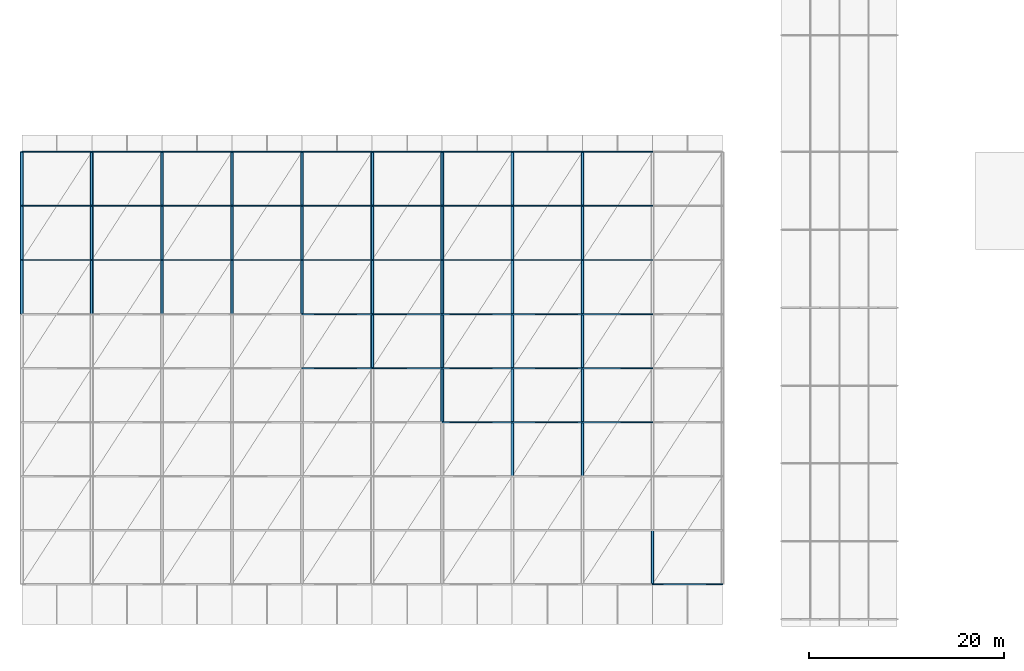
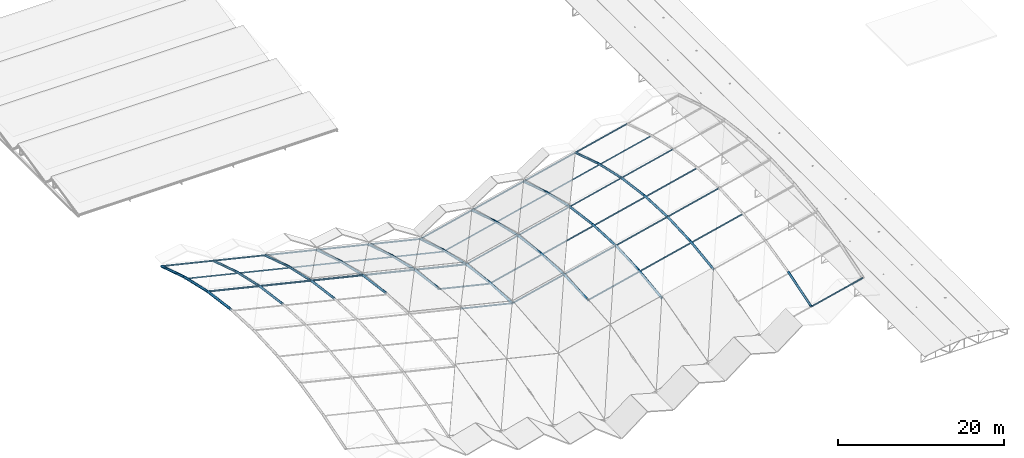
# One storey, part 2 of 54: 78 members.
"""IFC4 building model written with IfcOpenShell, lengths in metres."""

import ifcopenshell
import ifcopenshell.guid

model = None  # the IFC model being written
_history = None  # IfcOwnerHistory: only IFC2X3 demands one
_inside = {}  # id of a spatial element -> (the spatial element, [elements in it])
_under = {}  # id of a project, library or spatial element -> (it, [spatial elements below it])
_declared = {}  # id of a project -> (the project, [libraries it declares])
_typed = {}  # id of a type object -> (the type object, [elements of that type])
_made_of = {}  # id of a material, layer set ... -> (it, [elements and type objects made of it])


def new_model(schema):
    """Start an empty IFC model of exactly this schema.

    Asked for "IFC4X3", IfcOpenShell would pick the latest addendum, in which some entities
    have other attributes; the version numbers below select the first issue.
    IFC2X3 requires an IfcOwnerHistory on every rooted entity: one is made here for all.
    """
    global model, _history
    if schema == "IFC4X3":
        model = ifcopenshell.file(schema_version=(4, 3, 0, 0))
    else:
        model = ifcopenshell.file(schema=schema)
    _inside.clear()
    _under.clear()
    _declared.clear()
    _typed.clear()
    _made_of.clear()
    _history = None
    if model.schema == "IFC2X3":
        org = make("IfcOrganization", Name="unknown")
        user = make(
            "IfcPersonAndOrganization",
            ThePerson=make("IfcPerson", FamilyName="unknown"),
            TheOrganization=org,
        )
        app = make(
            "IfcApplication",
            ApplicationDeveloper=org,
            Version="unknown",
            ApplicationFullName="unknown",
            ApplicationIdentifier="unknown",
        )
        _history = make(
            "IfcOwnerHistory",
            OwningUser=user,
            OwningApplication=app,
            ChangeAction="ADDED",
            CreationDate=0,
        )
    return model


def make(cls, **values):
    """One entity of the class cls with the attributes given. An attribute that is None is left unset."""
    return model.create_entity(
        cls, **{name: value for name, value in values.items() if value is not None}
    )


def rooted(cls, **values):
    """An entity with a GlobalId (a new one), such as an element, a storey or a relation."""
    return make(cls, GlobalId=ifcopenshell.guid.new(), OwnerHistory=_history, **values)


def si_unit(unit_type, name, prefix=None):
    """IfcSIUnit, for example si_unit("LENGTHUNIT", "METRE", prefix="MILLI")."""
    return make("IfcSIUnit", UnitType=unit_type, Prefix=prefix, Name=name)


def derived_unit(unit_type, elements):
    """IfcDerivedUnit: a product of units, each with its exponent."""
    return make(
        "IfcDerivedUnit",
        Elements=[
            make("IfcDerivedUnitElement", Unit=unit, Exponent=power)
            for unit, power in elements
        ],
        UnitType=unit_type,
    )


def assignment(units):
    """IfcUnitAssignment: the units of a project."""
    return None if units is None else make("IfcUnitAssignment", Units=units)


def point(xyz):
    """IfcCartesianPoint."""
    return None if xyz is None else make("IfcCartesianPoint", Coordinates=xyz)


def direction(xyz):
    """IfcDirection."""
    return None if xyz is None else make("IfcDirection", DirectionRatios=xyz)


def frame(location, z_axis=None, x_axis=None):
    """IfcAxis2Placement3D, a coordinate frame: its origin and axes. An axis left out is left unset."""
    return make(
        "IfcAxis2Placement3D",
        Location=point(location),
        Axis=direction(z_axis),
        RefDirection=direction(x_axis),
    )


def frame_2d(location, x_axis=None):
    """IfcAxis2Placement2D, a coordinate frame in the plane: its origin and x axis."""
    return make(
        "IfcAxis2Placement2D", Location=point(location), RefDirection=direction(x_axis)
    )


def origin():
    """The frame at (0, 0, 0) with its axes left unset."""
    return frame((0.0, 0.0, 0.0))


def origin_2d():
    """The frame at (0, 0) in the plane with its x axis left unset."""
    return frame_2d((0.0, 0.0))


def place(relative_to, where):
    """IfcLocalPlacement: puts the frame where relative to a parent placement (None: the world)."""
    return make(
        "IfcLocalPlacement", PlacementRelTo=relative_to, RelativePlacement=where
    )


def context(
    kind, dimensions, precision=None, world=None, true_north=None, identifier=None
):
    """IfcGeometricRepresentationContext, for example the 3D "Model" context."""
    return make(
        "IfcGeometricRepresentationContext",
        ContextIdentifier=identifier,
        ContextType=kind,
        CoordinateSpaceDimension=dimensions,
        Precision=precision,
        WorldCoordinateSystem=world,
        TrueNorth=true_north,
    )


def subcontext(parent, identifier, kind, view, scale=None):
    """IfcGeometricRepresentationSubContext, for example "Body" below "Model"."""
    return make(
        "IfcGeometricRepresentationSubContext",
        ContextIdentifier=identifier,
        ContextType=kind,
        ParentContext=parent,
        TargetScale=scale,
        TargetView=view,
    )


def project(units=None, contexts=None):
    """IfcProject with its units and contexts."""
    return rooted(
        "IfcProject",
        Name="project",
        RepresentationContexts=contexts,
        UnitsInContext=assignment(units),
    )


def spatial(cls, under=None, at=None, **own):
    """A site, building, storey or space (cls), placed at a placement, below another one or the project."""
    s = rooted(cls, ObjectPlacement=at, **own)
    if under is not None:
        _under.setdefault(under.id(), (under, []))[1].append(s)
    return s


def profile(cls, at=None, kind="AREA", **sizes):
    """A parametric profile (cls). Its sizes go by their IFC names, for example OverallWidth=200.0."""
    return make(cls, ProfileType=kind, Position=at, **sizes)


def hollow_rectangle(**sizes):
    """IfcRectangleHollowProfileDef."""
    return profile("IfcRectangleHollowProfileDef", **sizes)


def hollow_circle(**sizes):
    """IfcCircleHollowProfileDef."""
    return profile("IfcCircleHollowProfileDef", **sizes)


def i_section(**sizes):
    """IfcIShapeProfileDef."""
    return profile("IfcIShapeProfileDef", **sizes)


def extrude(swept, where, along, depth):
    """IfcExtrudedAreaSolid: the profile swept, set in the frame where, extruded along a direction by depth."""
    return make(
        "IfcExtrudedAreaSolid",
        SweptArea=swept,
        Position=where,
        ExtrudedDirection=direction(along),
        Depth=depth,
    )


def shape(context_of_items, identifier, shape_type, items):
    """IfcShapeRepresentation: the items that make up one representation, for example the "Body"."""
    return make(
        "IfcShapeRepresentation",
        ContextOfItems=context_of_items,
        RepresentationIdentifier=identifier,
        RepresentationType=shape_type,
        Items=items,
    )


def material(Name=None, Category=None):
    """IfcMaterial."""
    return make("IfcMaterial", Name=Name, Category=Category)


def material_profile(
    of_material, cross_section, Name=None, Category=None, Priority=None
):
    """IfcMaterialProfile: a cross section and its material."""
    return make(
        "IfcMaterialProfile",
        Name=Name,
        Material=of_material,
        Profile=cross_section,
        Priority=Priority,
        Category=Category,
    )


def profile_set(profiles, Name=None, composite=None):
    """IfcMaterialProfileSet."""
    return make(
        "IfcMaterialProfileSet",
        Name=Name,
        MaterialProfiles=profiles,
        CompositeProfile=composite,
    )


def made_of(thing, what):
    """Note that an element or type object is made of a material, layer set ...; save() writes the relation."""
    if what is not None:
        _made_of.setdefault(what.id(), (what, []))[1].append(thing)
    return thing


def type_object(cls, material=None, **own):
    """A type object (cls), such as IfcWallType, which elements share."""
    return made_of(rooted(cls, **own), material)


def element(
    cls,
    number,
    at=None,
    inside=None,
    cuts=None,
    type_object=None,
    material=None,
    context=None,
    identifier="Body",
    shape_type=None,
    held_by="IfcProductDefinitionShape",
    body=None,
    shapes=None,
    **own,
):
    """One element of the class cls, such as IfcWall. Its Tag is "e" and its number.

    at: its placement. inside: the storey or other place that contains it. cuts: it is an
    opening in that element (IfcRelVoidsElement). A single representation is given by context,
    identifier, shape_type and body (its items); several are given by shapes. held_by: the class
    of the entity that holds the representations. save() writes the other relations.
    """
    e = rooted(cls, Tag="e%d" % number, ObjectPlacement=at, **own)
    if body is not None:
        shapes = [shape(context, identifier, shape_type, body)]
    if shapes is not None:
        e.Representation = make(held_by, Representations=shapes)
    if inside is not None:
        _inside.setdefault(inside.id(), (inside, []))[1].append(e)
    if cuts is not None:
        rooted(
            "IfcRelVoidsElement", RelatingBuildingElement=cuts, RelatedOpeningElement=e
        )
    if type_object is not None:
        _typed.setdefault(type_object.id(), (type_object, []))[1].append(e)
    return made_of(e, material)


def aggregate(whole, parts):
    """IfcRelAggregates: a whole, such as a stair, and the parts it consists of."""
    return rooted("IfcRelAggregates", RelatingObject=whole, RelatedObjects=parts)


def save(model, path):
    """Write the relations noted so far, then the file.

    IfcRelAggregates (storeys below a building ...), IfcRelContainedInSpatialStructure (elements
    in a storey), IfcRelDefinesByType, IfcRelAssociatesMaterial and IfcRelDeclares: one each for
    every whole, place, type object, material and project.
    """
    for whole, parts in _under.values():
        aggregate(whole, parts)
    for where, things in _inside.values():
        rooted(
            "IfcRelContainedInSpatialStructure",
            RelatedElements=things,
            RelatingStructure=where,
        )
    for kind, things in _typed.values():
        rooted("IfcRelDefinesByType", RelatedObjects=things, RelatingType=kind)
    for what, things in _made_of.values():
        rooted("IfcRelAssociatesMaterial", RelatedObjects=things, RelatingMaterial=what)
    for by, libraries in _declared.values():
        rooted("IfcRelDeclares", RelatingContext=by, RelatedDefinitions=libraries)
    model.write(path)


model = new_model("IFC4")

# Units and contexts
model_context = context("Model", 3, precision=1e-05, world=origin(), true_north=direction((0.0, 1.0)))
body_context = subcontext(model_context, "Body", "Model", "MODEL_VIEW")
ifc_project = project(units=[si_unit("LENGTHUNIT", "METRE"), si_unit("AREAUNIT", "SQUARE_METRE"), si_unit("VOLUMEUNIT", "CUBIC_METRE"), si_unit("PLANEANGLEUNIT", "RADIAN"), si_unit("MASSUNIT", "GRAM", prefix="KILO"), derived_unit("THERMALTRANSMITTANCEUNIT", [(si_unit("POWERUNIT", "WATT"), 1), (si_unit("LENGTHUNIT", "METRE"), -2), (si_unit("THERMODYNAMICTEMPERATUREUNIT", "KELVIN"), -1)])], contexts=[model_context])

# Site, building, storey
site_placement = place(None, origin())
site = spatial("IfcSite", under=ifc_project, at=site_placement, CompositionType="ELEMENT")
building_placement = place(site_placement, origin())
building = spatial("IfcBuilding", under=site, at=building_placement, Name="Keldorne Ridge Multi-Sports Centre", CompositionType="ELEMENT")
storey_placement = place(building_placement, frame((0.0, 0.0, 22.199951171875)))
storey = spatial("IfcBuildingStorey", under=building, at=storey_placement, Name="ROOF", CompositionType="ELEMENT", Elevation=22.199951171875)

# Members
ifc_material = material(Name="Steel S355", Category="steel")
ifc_material_profile_1 = material_profile(ifc_material, i_section(OverallWidth=0.10009765625, OverallDepth=0.199951171875, WebThickness=0.005615234375, FlangeThickness=0.008544921875, FilletRadius=0.011962890625, at=origin_2d()), Name="IPE 200")
ifc_profile_set_1 = profile_set([ifc_material_profile_1], Name="Steel S355")
member_type_1 = type_object("IfcMemberType", Name="MEM-PR-01", PredefinedType="PURLIN", material=ifc_profile_set_1)
for number, where, z_axis, x_axis, name in (
    (1, (6.0, 54.0, -1.35986328125), (0.972632545932, 0.0, -0.232348726259), (0.0, 1.0, 0.0), "Main Hall roof purlin 1.9"),
    (2, (13.199951171875, 54.0, -3.079833984375), (0.972625092192, 0.0, -0.232379926065), (0.0, 1.0, 0.0), "Main Hall roof purlin 2.9"),
):
    element("IfcMember", number, at=place(storey_placement, frame(where, z_axis=z_axis, x_axis=x_axis)), inside=storey, type_object=member_type_1, Name=name, PredefinedType="PURLIN", context=body_context, shape_type="SweptSolid", body=[
        extrude(i_section(OverallWidth=0.10009765625, OverallDepth=0.199951171875, WebThickness=0.005615234375, FlangeThickness=0.008544921875, FilletRadius=0.011962890625, at=origin_2d()), origin(), (0.0, 0.0, 1.0), 7.402587890625),
    ])
member_1_placement = place(storey_placement, frame((20.39990234375, 54.0, -4.800048828125), z_axis=(0.972634326338, 0.0, -0.232341273194), x_axis=(0.0, 1.0, 0.0)))
element("IfcMember", 3, at=member_1_placement, inside=storey, type_object=member_type_1, Name="Main Hall roof purlin 3.9", PredefinedType="PURLIN", context=body_context, shape_type="SweptSolid", body=[
    extrude(i_section(OverallWidth=0.10009765625, OverallDepth=0.199951171875, WebThickness=0.005615234375, FlangeThickness=0.008544921875, FilletRadius=0.011962890625, at=origin_2d()), origin(), (0.0, 0.0, 1.0), 7.40283203125),
])
for number, where, z_axis, x_axis, name in (
    (4, (27.60009765625, 54.0, -6.52001953125), (0.972632545932, 0.0, -0.232348726259), (0.0, 1.0, 0.0), "Main Hall roof purlin 4.9"),
    (5, (34.800048828125, 31.800048828125, -4.239990234375), (0.972632545932, 0.0, -0.232348726259), (0.0, 1.0, 0.0), "Main Hall roof purlin 5.5"),
    (6, (34.800048828125, 37.35009765625, -4.739990234375), (0.972632545932, 0.0, -0.232348726259), (0.0, 1.0, 0.0), "Main Hall roof purlin 5.6"),
    (7, (34.800048828125, 54.0, -8.239990234375), (0.972632545932, 0.0, -0.232348726259), (0.0, 1.0, 0.0), "Main Hall roof purlin 5.9"),
    (8, (42.0, 31.800048828125, -5.9599609375), (0.972632545932, 0.0, 0.232348726259), (0.0, 1.0, 0.0), "Main Hall roof purlin 6.5"),
    (9, (42.0, 37.35009765625, -6.4599609375), (0.972632545932, 0.0, 0.232348726259), (0.0, 1.0, 0.0), "Main Hall roof purlin 6.6"),
    (10, (42.0, 54.0, -9.9599609375), (0.972632545932, 0.0, 0.232348726259), (0.0, 1.0, 0.0), "Main Hall roof purlin 6.9"),
    (11, (49.199951171875, 26.25, -4.739990234375), (0.972632545932, 0.0, 0.232348726259), (0.0, 1.0, 0.0), "Main Hall roof purlin 7.4"),
    (12, (49.199951171875, 31.800048828125, -4.239990234375), (0.972632545932, 0.0, 0.232348726259), (0.0, 1.0, 0.0), "Main Hall roof purlin 7.5"),
    (13, (49.199951171875, 37.35009765625, -4.739990234375), (0.972632545932, 0.0, 0.232348726259), (0.0, 1.0, 0.0), "Main Hall roof purlin 7.6"),
    (14, (49.199951171875, 54.0, -8.239990234375), (0.972632545932, 0.0, 0.232348726259), (0.0, 1.0, 0.0), "Main Hall roof purlin 7.9"),
):
    element("IfcMember", number, at=place(storey_placement, frame(where, z_axis=z_axis, x_axis=x_axis)), inside=storey, type_object=member_type_1, Name=name, PredefinedType="PURLIN", context=body_context, shape_type="SweptSolid", body=[
        extrude(i_section(OverallWidth=0.10009765625, OverallDepth=0.199951171875, WebThickness=0.005615234375, FlangeThickness=0.008544921875, FilletRadius=0.011962890625, at=origin_2d()), origin(), (0.0, 0.0, 1.0), 7.402587890625),
    ])
for number, where, z_axis, x_axis, name in (
    (15, (56.39990234375, 26.25, -3.02001953125), (0.972634326338, 0.0, 0.232341273194), (0.0, 1.0, 0.0), "Main Hall roof purlin 8.4"),
    (16, (56.39990234375, 31.800048828125, -2.52001953125), (0.972634326338, 0.0, 0.232341273194), (0.0, 1.0, 0.0), "Main Hall roof purlin 8.5"),
    (17, (56.39990234375, 37.35009765625, -3.02001953125), (0.972634326338, 0.0, 0.232341273194), (0.0, 1.0, 0.0), "Main Hall roof purlin 8.6"),
    (18, (56.39990234375, 54.0, -6.52001953125), (0.972634326338, 0.0, 0.232341273194), (0.0, 1.0, 0.0), "Main Hall roof purlin 8.9"),
):
    element("IfcMember", number, at=place(storey_placement, frame(where, z_axis=z_axis, x_axis=x_axis)), inside=storey, type_object=member_type_1, Name=name, PredefinedType="PURLIN", context=body_context, shape_type="SweptSolid", body=[
        extrude(i_section(OverallWidth=0.10009765625, OverallDepth=0.199951171875, WebThickness=0.005615234375, FlangeThickness=0.008544921875, FilletRadius=0.011962890625, at=origin_2d()), origin(), (0.0, 0.0, 1.0), 7.40283203125),
    ])
for number, where, z_axis, x_axis, name in (
    (19, (63.60009765625, 26.25, -1.300048828125), (0.972625092192, 0.0, 0.232379926065), (0.0, 1.0, 0.0), "Main Hall roof purlin 9.4"),
    (20, (63.60009765625, 31.800048828125, -0.800048828125), (0.972625092192, 0.0, 0.232379926065), (0.0, 1.0, 0.0), "Main Hall roof purlin 9.5"),
    (21, (63.60009765625, 37.35009765625, -1.300048828125), (0.972625092192, 0.0, 0.232379926065), (0.0, 1.0, 0.0), "Main Hall roof purlin 9.6"),
    (22, (63.60009765625, 54.0, -4.800048828125), (0.972625092192, 0.0, 0.232379926065), (0.0, 1.0, 0.0), "Main Hall roof purlin 9.9"),
    (23, (70.800048828125, 9.60009765625, -3.079833984375), (0.972632545932, 0.0, 0.232348726259), (0.0, 1.0, 0.0), "Main Hall roof purlin 10.1"),
):
    element("IfcMember", number, at=place(storey_placement, frame(where, z_axis=z_axis, x_axis=x_axis)), inside=storey, type_object=member_type_1, Name=name, PredefinedType="PURLIN", context=body_context, shape_type="SweptSolid", body=[
        extrude(i_section(OverallWidth=0.10009765625, OverallDepth=0.199951171875, WebThickness=0.005615234375, FlangeThickness=0.008544921875, FilletRadius=0.011962890625, at=origin_2d()), origin(), (0.0, 0.0, 1.0), 7.402587890625),
    ])
ifc_material_profile_2 = material_profile(ifc_material, i_section(OverallWidth=0.091064453125, OverallDepth=0.179931640625, WebThickness=0.00537109375, FlangeThickness=0.008056640625, FilletRadius=0.009033203125, at=origin_2d()), Name="IPE 180")
ifc_profile_set_2 = profile_set([ifc_material_profile_2], Name="Steel S355")
member_type_2 = type_object("IfcMemberType", Name="MEM-PR-02", PredefinedType="PURLIN", material=ifc_profile_set_2)
for number, where, z_axis, x_axis, name in (
    (24, (6.0, 42.89990234375, 1.64013671875), (0.972632545932, 0.0, -0.232348726259), (0.0, 1.0, 0.0), "Main Hall roof purlin 1.7"),
    (25, (13.199951171875, 42.89990234375, -0.079833984375), (0.972625092192, 0.0, -0.232379926065), (0.0, 1.0, 0.0), "Main Hall roof purlin 2.7"),
):
    element("IfcMember", number, at=place(storey_placement, frame(where, z_axis=z_axis, x_axis=x_axis)), inside=storey, type_object=member_type_2, Name=name, PredefinedType="PURLIN", context=body_context, shape_type="SweptSolid", body=[
        extrude(i_section(OverallWidth=0.091064453125, OverallDepth=0.179931640625, WebThickness=0.00537109375, FlangeThickness=0.008056640625, FilletRadius=0.009033203125, at=origin_2d()), origin(), (0.0, 0.0, 1.0), 7.402587890625),
    ])
member_2_placement = place(storey_placement, frame((20.39990234375, 42.89990234375, -1.800048828125), z_axis=(0.972634326338, 0.0, -0.232341273194), x_axis=(0.0, 1.0, 0.0)))
element("IfcMember", 26, at=member_2_placement, inside=storey, type_object=member_type_2, Name="Main Hall roof purlin 3.7", PredefinedType="PURLIN", context=body_context, shape_type="SweptSolid", body=[
    extrude(i_section(OverallWidth=0.091064453125, OverallDepth=0.179931640625, WebThickness=0.00537109375, FlangeThickness=0.008056640625, FilletRadius=0.009033203125, at=origin_2d()), origin(), (0.0, 0.0, 1.0), 7.40283203125),
])
for number, where, z_axis, x_axis, name in (
    (27, (27.60009765625, 42.89990234375, -3.52001953125), (0.972632545932, 0.0, -0.232348726259), (0.0, 1.0, 0.0), "Main Hall roof purlin 4.7"),
    (28, (34.800048828125, 42.89990234375, -5.239990234375), (0.972632545932, 0.0, -0.232348726259), (0.0, 1.0, 0.0), "Main Hall roof purlin 5.7"),
    (29, (42.0, 42.89990234375, -6.9599609375), (0.972632545932, 0.0, 0.232348726259), (0.0, 1.0, 0.0), "Main Hall roof purlin 6.7"),
    (30, (49.199951171875, 42.89990234375, -5.239990234375), (0.972632545932, 0.0, 0.232348726259), (0.0, 1.0, 0.0), "Main Hall roof purlin 7.7"),
):
    element("IfcMember", number, at=place(storey_placement, frame(where, z_axis=z_axis, x_axis=x_axis)), inside=storey, type_object=member_type_2, Name=name, PredefinedType="PURLIN", context=body_context, shape_type="SweptSolid", body=[
        extrude(i_section(OverallWidth=0.091064453125, OverallDepth=0.179931640625, WebThickness=0.00537109375, FlangeThickness=0.008056640625, FilletRadius=0.009033203125, at=origin_2d()), origin(), (0.0, 0.0, 1.0), 7.402587890625),
    ])
member_3_placement = place(storey_placement, frame((56.39990234375, 42.89990234375, -3.52001953125), z_axis=(0.972634326338, 0.0, 0.232341273194), x_axis=(0.0, 1.0, 0.0)))
element("IfcMember", 31, at=member_3_placement, inside=storey, type_object=member_type_2, Name="Main Hall roof purlin 8.7", PredefinedType="PURLIN", context=body_context, shape_type="SweptSolid", body=[
    extrude(i_section(OverallWidth=0.091064453125, OverallDepth=0.179931640625, WebThickness=0.00537109375, FlangeThickness=0.008056640625, FilletRadius=0.009033203125, at=origin_2d()), origin(), (0.0, 0.0, 1.0), 7.40283203125),
])
member_4_placement = place(storey_placement, frame((63.60009765625, 42.89990234375, -1.800048828125), z_axis=(0.972625092192, 0.0, 0.232379926065), x_axis=(0.0, 1.0, 0.0)))
element("IfcMember", 32, at=member_4_placement, inside=storey, type_object=member_type_2, Name="Main Hall roof purlin 9.7", PredefinedType="PURLIN", context=body_context, shape_type="SweptSolid", body=[
    extrude(i_section(OverallWidth=0.091064453125, OverallDepth=0.179931640625, WebThickness=0.00537109375, FlangeThickness=0.008056640625, FilletRadius=0.009033203125, at=origin_2d()), origin(), (0.0, 0.0, 1.0), 7.402587890625),
])
ifc_material_profile_3 = material_profile(ifc_material, hollow_rectangle(XDim=0.10009765625, YDim=0.179931640625, WallThickness=0.008056640625, InnerFilletRadius=0.008056640625, OuterFilletRadius=0.01611328125, at=origin_2d()), Name="RHS 180x100x8")
ifc_profile_set_3 = profile_set([ifc_material_profile_3], Name="Steel S355")
member_type_3 = type_object("IfcMemberType", Name="MEM-PR-04", PredefinedType="PURLIN", material=ifc_profile_set_3)
for number, where, z_axis, x_axis, name in (
    (33, (6.0, 48.449951171875, 0.14013671875), (0.972632545932, 0.0, -0.232348726259), (0.0, 1.0, 0.0), "Main Hall roof purlin 1.8"),
    (34, (13.199951171875, 48.449951171875, -1.579833984375), (0.972625092192, 0.0, -0.232379926065), (0.0, 1.0, 0.0), "Main Hall roof purlin 2.8"),
):
    element("IfcMember", number, at=place(storey_placement, frame(where, z_axis=z_axis, x_axis=x_axis)), inside=storey, type_object=member_type_3, Name=name, PredefinedType="PURLIN", context=body_context, shape_type="SweptSolid", body=[
        extrude(hollow_rectangle(XDim=0.10009765625, YDim=0.179931640625, WallThickness=0.008056640625, InnerFilletRadius=0.008056640625, OuterFilletRadius=0.01611328125, at=origin_2d()), origin(), (0.0, 0.0, 1.0), 7.402587890625),
    ])
member_5_placement = place(storey_placement, frame((20.39990234375, 48.449951171875, -3.300048828125), z_axis=(0.972634326338, 0.0, -0.232341273194), x_axis=(0.0, 1.0, 0.0)))
element("IfcMember", 35, at=member_5_placement, inside=storey, type_object=member_type_3, Name="Main Hall roof purlin 3.8", PredefinedType="PURLIN", context=body_context, shape_type="SweptSolid", body=[
    extrude(hollow_rectangle(XDim=0.10009765625, YDim=0.179931640625, WallThickness=0.008056640625, InnerFilletRadius=0.008056640625, OuterFilletRadius=0.01611328125, at=origin_2d()), origin(), (0.0, 0.0, 1.0), 7.40283203125),
])
for number, where, z_axis, x_axis, name in (
    (36, (27.60009765625, 48.449951171875, -5.02001953125), (0.972632545932, 0.0, -0.232348726259), (0.0, 1.0, 0.0), "Main Hall roof purlin 4.8"),
    (37, (34.800048828125, 48.449951171875, -6.739990234375), (0.972632545932, 0.0, -0.232348726259), (0.0, 1.0, 0.0), "Main Hall roof purlin 5.8"),
    (38, (42.0, 48.449951171875, -8.4599609375), (0.972632545932, 0.0, 0.232348726259), (0.0, 1.0, 0.0), "Main Hall roof purlin 6.8"),
    (39, (49.199951171875, 48.449951171875, -6.739990234375), (0.972632545932, 0.0, 0.232348726259), (0.0, 1.0, 0.0), "Main Hall roof purlin 7.8"),
):
    element("IfcMember", number, at=place(storey_placement, frame(where, z_axis=z_axis, x_axis=x_axis)), inside=storey, type_object=member_type_3, Name=name, PredefinedType="PURLIN", context=body_context, shape_type="SweptSolid", body=[
        extrude(hollow_rectangle(XDim=0.10009765625, YDim=0.179931640625, WallThickness=0.008056640625, InnerFilletRadius=0.008056640625, OuterFilletRadius=0.01611328125, at=origin_2d()), origin(), (0.0, 0.0, 1.0), 7.402587890625),
    ])
member_6_placement = place(storey_placement, frame((56.39990234375, 48.449951171875, -5.02001953125), z_axis=(0.972634326338, 0.0, 0.232341273194), x_axis=(0.0, 1.0, 0.0)))
element("IfcMember", 40, at=member_6_placement, inside=storey, type_object=member_type_3, Name="Main Hall roof purlin 8.8", PredefinedType="PURLIN", context=body_context, shape_type="SweptSolid", body=[
    extrude(hollow_rectangle(XDim=0.10009765625, YDim=0.179931640625, WallThickness=0.008056640625, InnerFilletRadius=0.008056640625, OuterFilletRadius=0.01611328125, at=origin_2d()), origin(), (0.0, 0.0, 1.0), 7.40283203125),
])
member_7_placement = place(storey_placement, frame((63.60009765625, 48.449951171875, -3.300048828125), z_axis=(0.972625092192, 0.0, 0.232379926065), x_axis=(0.0, 1.0, 0.0)))
element("IfcMember", 41, at=member_7_placement, inside=storey, type_object=member_type_3, Name="Main Hall roof purlin 9.8", PredefinedType="PURLIN", context=body_context, shape_type="SweptSolid", body=[
    extrude(hollow_rectangle(XDim=0.10009765625, YDim=0.179931640625, WallThickness=0.008056640625, InnerFilletRadius=0.008056640625, OuterFilletRadius=0.01611328125, at=origin_2d()), origin(), (0.0, 0.0, 1.0), 7.402587890625),
])
ifc_material_profile_4 = material_profile(ifc_material, hollow_circle(Radius=0.177734375, WallThickness=0.01611328125, at=origin_2d()), Name="CHS 355.6x16")
ifc_profile_set_4 = profile_set([ifc_material_profile_4], Name="Steel S355")
member_type_4 = type_object("IfcMemberType", Name="MEM-TC-01", PredefinedType="CHORD", material=ifc_profile_set_4)
member_8_placement = place(storey_placement, frame((6.0, 37.35009765625, 2.3701171875), z_axis=(0.0, 0.990991804939, -0.133922524405), x_axis=(-1.0, 0.0, 0.0)))
element("IfcMember", 42, at=member_8_placement, inside=storey, type_object=member_type_4, Name="Main Hall ROOF TRUSS AT-01 top chord 6", PredefinedType="CHORD", context=body_context, shape_type="SweptSolid", body=[
    extrude(hollow_circle(Radius=0.177734375, WallThickness=0.01611328125, at=origin_2d()), origin(), (0.0, 0.0, 1.0), 5.600341796875),
])
member_9_placement = place(storey_placement, frame((6.0, 42.89990234375, 1.6201171875), z_axis=(0.0, 0.975563092904, -0.219719484259), x_axis=(-1.0, 0.0, 0.0)))
element("IfcMember", 43, at=member_9_placement, inside=storey, type_object=member_type_4, Name="Main Hall ROOF TRUSS AT-01 top chord 7", PredefinedType="CHORD", context=body_context, shape_type="SweptSolid", body=[
    extrude(hollow_circle(Radius=0.177734375, WallThickness=0.01611328125, at=origin_2d()), origin(), (0.0, 0.0, 1.0), 5.68896484375),
])
member_10_placement = place(storey_placement, frame((6.0, 48.449951171875, 0.3701171875), z_axis=(0.0, 0.953713189214, -0.300717729305), x_axis=(-1.0, 0.0, 0.0)))
element("IfcMember", 44, at=member_10_placement, inside=storey, type_object=member_type_4, Name="Main Hall ROOF TRUSS AT-01 top chord 8", PredefinedType="CHORD", context=body_context, shape_type="SweptSolid", body=[
    extrude(hollow_circle(Radius=0.177734375, WallThickness=0.01611328125, at=origin_2d()), origin(), (0.0, 0.0, 1.0), 5.8193359375),
])
ifc_material_profile_5 = material_profile(ifc_material, hollow_circle(Radius=0.161865234375, WallThickness=0.01611328125, at=origin_2d()), Name="CHS 323.9x16")
ifc_profile_set_5 = profile_set([ifc_material_profile_5], Name="Steel S355")
member_type_5 = type_object("IfcMemberType", Name="MEM-TC-02", PredefinedType="CHORD", material=ifc_profile_set_5)
member_11_placement = place(storey_placement, frame((13.199951171875, 37.35009765625, 0.650146484375), z_axis=(0.0, 0.990991804939, -0.133922524405), x_axis=(-1.0, 0.0, 0.0)))
element("IfcMember", 45, at=member_11_placement, inside=storey, type_object=member_type_5, Name="Main Hall ROOF TRUSS AT-02 top chord 6", PredefinedType="CHORD", context=body_context, shape_type="SweptSolid", body=[
    extrude(hollow_circle(Radius=0.161865234375, WallThickness=0.01611328125, at=origin_2d()), origin(), (0.0, 0.0, 1.0), 5.600341796875),
])
member_12_placement = place(storey_placement, frame((13.199951171875, 42.89990234375, -0.099853515625), z_axis=(0.0, 0.975563092904, -0.219719484259), x_axis=(-1.0, 0.0, 0.0)))
element("IfcMember", 46, at=member_12_placement, inside=storey, type_object=member_type_5, Name="Main Hall ROOF TRUSS AT-02 top chord 7", PredefinedType="CHORD", context=body_context, shape_type="SweptSolid", body=[
    extrude(hollow_circle(Radius=0.161865234375, WallThickness=0.01611328125, at=origin_2d()), origin(), (0.0, 0.0, 1.0), 5.68896484375),
])
member_13_placement = place(storey_placement, frame((13.199951171875, 48.449951171875, -1.349853515625), z_axis=(0.0, 0.953713189214, -0.300717729305), x_axis=(-1.0, 0.0, 0.0)))
element("IfcMember", 47, at=member_13_placement, inside=storey, type_object=member_type_5, Name="Main Hall ROOF TRUSS AT-02 top chord 8", PredefinedType="CHORD", context=body_context, shape_type="SweptSolid", body=[
    extrude(hollow_circle(Radius=0.161865234375, WallThickness=0.01611328125, at=origin_2d()), origin(), (0.0, 0.0, 1.0), 5.8193359375),
])
member_14_placement = place(storey_placement, frame((20.39990234375, 37.35009765625, -1.070068359375), z_axis=(0.0, 0.990991804939, -0.133922524405), x_axis=(-1.0, 0.0, 0.0)))
element("IfcMember", 48, at=member_14_placement, inside=storey, type_object=member_type_5, Name="Main Hall ROOF TRUSS AT-03 top chord 6", PredefinedType="CHORD", context=body_context, shape_type="SweptSolid", body=[
    extrude(hollow_circle(Radius=0.161865234375, WallThickness=0.01611328125, at=origin_2d()), origin(), (0.0, 0.0, 1.0), 5.600341796875),
])
member_15_placement = place(storey_placement, frame((20.39990234375, 42.89990234375, -1.820068359375), z_axis=(0.0, 0.975563092904, -0.219719484259), x_axis=(-1.0, 0.0, 0.0)))
element("IfcMember", 49, at=member_15_placement, inside=storey, type_object=member_type_5, Name="Main Hall ROOF TRUSS AT-03 top chord 7", PredefinedType="CHORD", context=body_context, shape_type="SweptSolid", body=[
    extrude(hollow_circle(Radius=0.161865234375, WallThickness=0.01611328125, at=origin_2d()), origin(), (0.0, 0.0, 1.0), 5.68896484375),
])
member_16_placement = place(storey_placement, frame((20.39990234375, 48.449951171875, -3.070068359375), z_axis=(0.0, 0.953713189214, -0.300717729305), x_axis=(-1.0, 0.0, 0.0)))
element("IfcMember", 50, at=member_16_placement, inside=storey, type_object=member_type_5, Name="Main Hall ROOF TRUSS AT-03 top chord 8", PredefinedType="CHORD", context=body_context, shape_type="SweptSolid", body=[
    extrude(hollow_circle(Radius=0.161865234375, WallThickness=0.01611328125, at=origin_2d()), origin(), (0.0, 0.0, 1.0), 5.8193359375),
])
member_17_placement = place(storey_placement, frame((27.60009765625, 37.35009765625, -2.7900390625), z_axis=(0.0, 0.990991804939, -0.133922524405), x_axis=(-1.0, 0.0, 0.0)))
element("IfcMember", 51, at=member_17_placement, inside=storey, type_object=member_type_5, Name="Main Hall ROOF TRUSS AT-04 top chord 6", PredefinedType="CHORD", context=body_context, shape_type="SweptSolid", body=[
    extrude(hollow_circle(Radius=0.161865234375, WallThickness=0.01611328125, at=origin_2d()), origin(), (0.0, 0.0, 1.0), 5.600341796875),
])
member_18_placement = place(storey_placement, frame((27.60009765625, 42.89990234375, -3.5400390625), z_axis=(0.0, 0.975563092904, -0.219719484259), x_axis=(-1.0, 0.0, 0.0)))
element("IfcMember", 52, at=member_18_placement, inside=storey, type_object=member_type_5, Name="Main Hall ROOF TRUSS AT-04 top chord 7", PredefinedType="CHORD", context=body_context, shape_type="SweptSolid", body=[
    extrude(hollow_circle(Radius=0.161865234375, WallThickness=0.01611328125, at=origin_2d()), origin(), (0.0, 0.0, 1.0), 5.68896484375),
])
member_19_placement = place(storey_placement, frame((27.60009765625, 48.449951171875, -4.7900390625), z_axis=(0.0, 0.953713189214, -0.300717729305), x_axis=(-1.0, 0.0, 0.0)))
element("IfcMember", 53, at=member_19_placement, inside=storey, type_object=member_type_5, Name="Main Hall ROOF TRUSS AT-04 top chord 8", PredefinedType="CHORD", context=body_context, shape_type="SweptSolid", body=[
    extrude(hollow_circle(Radius=0.161865234375, WallThickness=0.01611328125, at=origin_2d()), origin(), (0.0, 0.0, 1.0), 5.8193359375),
])
member_20_placement = place(storey_placement, frame((34.800048828125, 37.35009765625, -4.510009765625), z_axis=(0.0, 0.990991804939, -0.133922524405), x_axis=(-1.0, 0.0, 0.0)))
element("IfcMember", 54, at=member_20_placement, inside=storey, type_object=member_type_5, Name="Main Hall ROOF TRUSS AT-05 top chord 6", PredefinedType="CHORD", context=body_context, shape_type="SweptSolid", body=[
    extrude(hollow_circle(Radius=0.161865234375, WallThickness=0.01611328125, at=origin_2d()), origin(), (0.0, 0.0, 1.0), 5.600341796875),
])
member_21_placement = place(storey_placement, frame((34.800048828125, 42.89990234375, -5.260009765625), z_axis=(0.0, 0.975563092904, -0.219719484259), x_axis=(-1.0, 0.0, 0.0)))
element("IfcMember", 55, at=member_21_placement, inside=storey, type_object=member_type_5, Name="Main Hall ROOF TRUSS AT-05 top chord 7", PredefinedType="CHORD", context=body_context, shape_type="SweptSolid", body=[
    extrude(hollow_circle(Radius=0.161865234375, WallThickness=0.01611328125, at=origin_2d()), origin(), (0.0, 0.0, 1.0), 5.68896484375),
])
member_22_placement = place(storey_placement, frame((34.800048828125, 48.449951171875, -6.510009765625), z_axis=(0.0, 0.953713189214, -0.300717729305), x_axis=(-1.0, 0.0, 0.0)))
element("IfcMember", 56, at=member_22_placement, inside=storey, type_object=member_type_5, Name="Main Hall ROOF TRUSS AT-05 top chord 8", PredefinedType="CHORD", context=body_context, shape_type="SweptSolid", body=[
    extrude(hollow_circle(Radius=0.161865234375, WallThickness=0.01611328125, at=origin_2d()), origin(), (0.0, 0.0, 1.0), 5.8193359375),
])
member_23_placement = place(storey_placement, frame((42.0, 31.800048828125, -5.97998046875), z_axis=(0.0, 0.99898703105, -0.044999019918), x_axis=(-1.0, 0.0, 0.0)))
element("IfcMember", 57, at=member_23_placement, inside=storey, type_object=member_type_5, Name="Main Hall ROOF TRUSS AT-06 top chord 5", PredefinedType="CHORD", context=body_context, shape_type="SweptSolid", body=[
    extrude(hollow_circle(Radius=0.161865234375, WallThickness=0.01611328125, at=origin_2d()), origin(), (0.0, 0.0, 1.0), 5.5556640625),
])
member_24_placement = place(storey_placement, frame((42.0, 37.35009765625, -6.22998046875), z_axis=(0.0, 0.990991804939, -0.133922524405), x_axis=(-1.0, 0.0, 0.0)))
element("IfcMember", 58, at=member_24_placement, inside=storey, type_object=member_type_5, Name="Main Hall ROOF TRUSS AT-06 top chord 6", PredefinedType="CHORD", context=body_context, shape_type="SweptSolid", body=[
    extrude(hollow_circle(Radius=0.161865234375, WallThickness=0.01611328125, at=origin_2d()), origin(), (0.0, 0.0, 1.0), 5.600341796875),
])
member_25_placement = place(storey_placement, frame((42.0, 42.89990234375, -6.97998046875), z_axis=(0.0, 0.975563092904, -0.219719484259), x_axis=(-1.0, 0.0, 0.0)))
element("IfcMember", 59, at=member_25_placement, inside=storey, type_object=member_type_5, Name="Main Hall ROOF TRUSS AT-06 top chord 7", PredefinedType="CHORD", context=body_context, shape_type="SweptSolid", body=[
    extrude(hollow_circle(Radius=0.161865234375, WallThickness=0.01611328125, at=origin_2d()), origin(), (0.0, 0.0, 1.0), 5.68896484375),
])
member_26_placement = place(storey_placement, frame((42.0, 48.449951171875, -8.22998046875), z_axis=(0.0, 0.953713189214, -0.300717729305), x_axis=(-1.0, 0.0, 0.0)))
element("IfcMember", 60, at=member_26_placement, inside=storey, type_object=member_type_5, Name="Main Hall ROOF TRUSS AT-06 top chord 8", PredefinedType="CHORD", context=body_context, shape_type="SweptSolid", body=[
    extrude(hollow_circle(Radius=0.161865234375, WallThickness=0.01611328125, at=origin_2d()), origin(), (0.0, 0.0, 1.0), 5.8193359375),
])
for number, where, z_axis, x_axis, name in (
    (61, (49.199951171875, 26.25, -4.510009765625), (0.0, 0.99898703105, 0.044999019918), (-1.0, 0.0, 0.0), "Main Hall ROOF TRUSS AT-07 top chord 4"),
    (62, (49.199951171875, 31.800048828125, -4.260009765625), (0.0, 0.99898703105, -0.044999019918), (-1.0, 0.0, 0.0), "Main Hall ROOF TRUSS AT-07 top chord 5"),
):
    element("IfcMember", number, at=place(storey_placement, frame(where, z_axis=z_axis, x_axis=x_axis)), inside=storey, type_object=member_type_5, Name=name, PredefinedType="CHORD", context=body_context, shape_type="SweptSolid", body=[
        extrude(hollow_circle(Radius=0.161865234375, WallThickness=0.01611328125, at=origin_2d()), origin(), (0.0, 0.0, 1.0), 5.5556640625),
    ])
member_27_placement = place(storey_placement, frame((49.199951171875, 37.35009765625, -4.510009765625), z_axis=(0.0, 0.990991804939, -0.133922524405), x_axis=(-1.0, 0.0, 0.0)))
element("IfcMember", 63, at=member_27_placement, inside=storey, type_object=member_type_5, Name="Main Hall ROOF TRUSS AT-07 top chord 6", PredefinedType="CHORD", context=body_context, shape_type="SweptSolid", body=[
    extrude(hollow_circle(Radius=0.161865234375, WallThickness=0.01611328125, at=origin_2d()), origin(), (0.0, 0.0, 1.0), 5.600341796875),
])
member_28_placement = place(storey_placement, frame((49.199951171875, 42.89990234375, -5.260009765625), z_axis=(0.0, 0.975563092904, -0.219719484259), x_axis=(-1.0, 0.0, 0.0)))
element("IfcMember", 64, at=member_28_placement, inside=storey, type_object=member_type_5, Name="Main Hall ROOF TRUSS AT-07 top chord 7", PredefinedType="CHORD", context=body_context, shape_type="SweptSolid", body=[
    extrude(hollow_circle(Radius=0.161865234375, WallThickness=0.01611328125, at=origin_2d()), origin(), (0.0, 0.0, 1.0), 5.68896484375),
])
member_29_placement = place(storey_placement, frame((49.199951171875, 48.449951171875, -6.510009765625), z_axis=(0.0, 0.953713189214, -0.300717729305), x_axis=(-1.0, 0.0, 0.0)))
element("IfcMember", 65, at=member_29_placement, inside=storey, type_object=member_type_5, Name="Main Hall ROOF TRUSS AT-07 top chord 8", PredefinedType="CHORD", context=body_context, shape_type="SweptSolid", body=[
    extrude(hollow_circle(Radius=0.161865234375, WallThickness=0.01611328125, at=origin_2d()), origin(), (0.0, 0.0, 1.0), 5.8193359375),
])
member_30_placement = place(storey_placement, frame((56.39990234375, 20.699951171875, -3.5400390625), z_axis=(0.0, 0.990992586768, 0.13391673895), x_axis=(-1.0, 0.0, 0.0)))
element("IfcMember", 66, at=member_30_placement, inside=storey, type_object=member_type_5, Name="Main Hall ROOF TRUSS AT-08 top chord 3", PredefinedType="CHORD", context=body_context, shape_type="SweptSolid", body=[
    extrude(hollow_circle(Radius=0.161865234375, WallThickness=0.01611328125, at=origin_2d()), origin(), (0.0, 0.0, 1.0), 5.6005859375),
])
for number, where, z_axis, x_axis, name in (
    (67, (56.39990234375, 26.25, -2.7900390625), (0.0, 0.99898703105, 0.044999019918), (-1.0, 0.0, 0.0), "Main Hall ROOF TRUSS AT-08 top chord 4"),
    (68, (56.39990234375, 31.800048828125, -2.5400390625), (0.0, 0.99898703105, -0.044999019918), (-1.0, 0.0, 0.0), "Main Hall ROOF TRUSS AT-08 top chord 5"),
):
    element("IfcMember", number, at=place(storey_placement, frame(where, z_axis=z_axis, x_axis=x_axis)), inside=storey, type_object=member_type_5, Name=name, PredefinedType="CHORD", context=body_context, shape_type="SweptSolid", body=[
        extrude(hollow_circle(Radius=0.161865234375, WallThickness=0.01611328125, at=origin_2d()), origin(), (0.0, 0.0, 1.0), 5.5556640625),
    ])
member_31_placement = place(storey_placement, frame((56.39990234375, 37.35009765625, -2.7900390625), z_axis=(0.0, 0.990991804939, -0.133922524405), x_axis=(-1.0, 0.0, 0.0)))
element("IfcMember", 69, at=member_31_placement, inside=storey, type_object=member_type_5, Name="Main Hall ROOF TRUSS AT-08 top chord 6", PredefinedType="CHORD", context=body_context, shape_type="SweptSolid", body=[
    extrude(hollow_circle(Radius=0.161865234375, WallThickness=0.01611328125, at=origin_2d()), origin(), (0.0, 0.0, 1.0), 5.600341796875),
])
member_32_placement = place(storey_placement, frame((56.39990234375, 42.89990234375, -3.5400390625), z_axis=(0.0, 0.975563092904, -0.219719484259), x_axis=(-1.0, 0.0, 0.0)))
element("IfcMember", 70, at=member_32_placement, inside=storey, type_object=member_type_5, Name="Main Hall ROOF TRUSS AT-08 top chord 7", PredefinedType="CHORD", context=body_context, shape_type="SweptSolid", body=[
    extrude(hollow_circle(Radius=0.161865234375, WallThickness=0.01611328125, at=origin_2d()), origin(), (0.0, 0.0, 1.0), 5.68896484375),
])
member_33_placement = place(storey_placement, frame((56.39990234375, 48.449951171875, -4.7900390625), z_axis=(0.0, 0.953713189214, -0.300717729305), x_axis=(-1.0, 0.0, 0.0)))
element("IfcMember", 71, at=member_33_placement, inside=storey, type_object=member_type_5, Name="Main Hall ROOF TRUSS AT-08 top chord 8", PredefinedType="CHORD", context=body_context, shape_type="SweptSolid", body=[
    extrude(hollow_circle(Radius=0.161865234375, WallThickness=0.01611328125, at=origin_2d()), origin(), (0.0, 0.0, 1.0), 5.8193359375),
])
member_34_placement = place(storey_placement, frame((63.60009765625, 20.699951171875, -1.820068359375), z_axis=(0.0, 0.990992586768, 0.13391673895), x_axis=(-1.0, 0.0, 0.0)))
element("IfcMember", 72, at=member_34_placement, inside=storey, type_object=member_type_5, Name="Main Hall ROOF TRUSS AT-09 top chord 3", PredefinedType="CHORD", context=body_context, shape_type="SweptSolid", body=[
    extrude(hollow_circle(Radius=0.161865234375, WallThickness=0.01611328125, at=origin_2d()), origin(), (0.0, 0.0, 1.0), 5.6005859375),
])
for number, where, z_axis, x_axis, name in (
    (73, (63.60009765625, 26.25, -1.070068359375), (0.0, 0.99898703105, 0.044999019918), (-1.0, 0.0, 0.0), "Main Hall ROOF TRUSS AT-09 top chord 4"),
    (74, (63.60009765625, 31.800048828125, -0.820068359375), (0.0, 0.99898703105, -0.044999019918), (-1.0, 0.0, 0.0), "Main Hall ROOF TRUSS AT-09 top chord 5"),
):
    element("IfcMember", number, at=place(storey_placement, frame(where, z_axis=z_axis, x_axis=x_axis)), inside=storey, type_object=member_type_5, Name=name, PredefinedType="CHORD", context=body_context, shape_type="SweptSolid", body=[
        extrude(hollow_circle(Radius=0.161865234375, WallThickness=0.01611328125, at=origin_2d()), origin(), (0.0, 0.0, 1.0), 5.5556640625),
    ])
member_35_placement = place(storey_placement, frame((63.60009765625, 37.35009765625, -1.070068359375), z_axis=(0.0, 0.990991804939, -0.133922524405), x_axis=(-1.0, 0.0, 0.0)))
element("IfcMember", 75, at=member_35_placement, inside=storey, type_object=member_type_5, Name="Main Hall ROOF TRUSS AT-09 top chord 6", PredefinedType="CHORD", context=body_context, shape_type="SweptSolid", body=[
    extrude(hollow_circle(Radius=0.161865234375, WallThickness=0.01611328125, at=origin_2d()), origin(), (0.0, 0.0, 1.0), 5.600341796875),
])
member_36_placement = place(storey_placement, frame((63.60009765625, 42.89990234375, -1.820068359375), z_axis=(0.0, 0.975563092904, -0.219719484259), x_axis=(-1.0, 0.0, 0.0)))
element("IfcMember", 76, at=member_36_placement, inside=storey, type_object=member_type_5, Name="Main Hall ROOF TRUSS AT-09 top chord 7", PredefinedType="CHORD", context=body_context, shape_type="SweptSolid", body=[
    extrude(hollow_circle(Radius=0.161865234375, WallThickness=0.01611328125, at=origin_2d()), origin(), (0.0, 0.0, 1.0), 5.68896484375),
])
member_37_placement = place(storey_placement, frame((63.60009765625, 48.449951171875, -3.070068359375), z_axis=(0.0, 0.953713189214, -0.300717729305), x_axis=(-1.0, 0.0, 0.0)))
element("IfcMember", 77, at=member_37_placement, inside=storey, type_object=member_type_5, Name="Main Hall ROOF TRUSS AT-09 top chord 8", PredefinedType="CHORD", context=body_context, shape_type="SweptSolid", body=[
    extrude(hollow_circle(Radius=0.161865234375, WallThickness=0.01611328125, at=origin_2d()), origin(), (0.0, 0.0, 1.0), 5.8193359375),
])
member_38_placement = place(storey_placement, frame((70.800048828125, 9.60009765625, -3.099853515625), z_axis=(0.0, 0.953709395146, 0.300729761763), x_axis=(-1.0, 0.0, 0.0)))
element("IfcMember", 78, at=member_38_placement, inside=storey, type_object=member_type_5, Name="Main Hall ROOF TRUSS AT-10 top chord 1", PredefinedType="CHORD", context=body_context, shape_type="SweptSolid", body=[
    extrude(hollow_circle(Radius=0.161865234375, WallThickness=0.01611328125, at=origin_2d()), origin(), (0.0, 0.0, 1.0), 5.819091796875),
])

save(model, "model.ifc")
